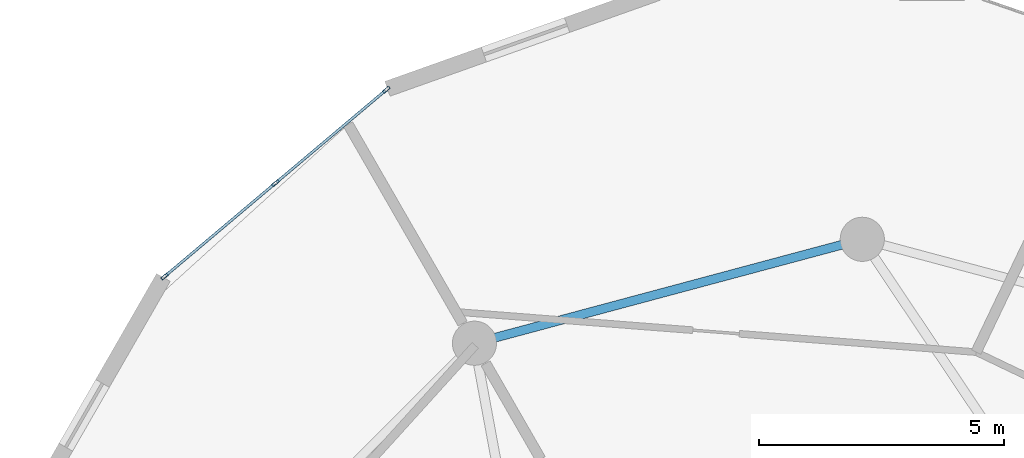
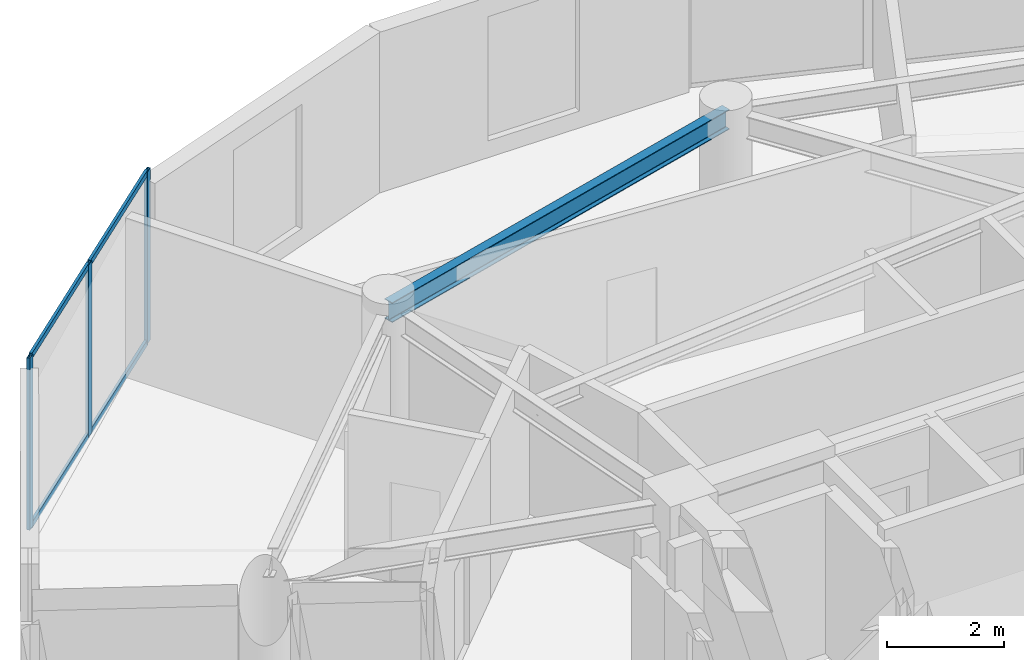
# One storey, part 9 of 17: 7 members, 1 beam, 1 element without a shape of its own.
"""IFC4 building model written with IfcOpenShell, lengths in metres."""

from ifc_helpers import new_model, si_unit, direction, frame, origin, origin_2d, place, context, subcontext, project, spatial, hollow_rectangle, i_section, extrude, source, transform, mapped, material, layer, layer_set, material_profile, profile_set, type_object, element, aggregate, save


model = new_model("IFC4")

# Units and contexts
model_context = context("Model", 3, precision=1e-05, world=origin(), true_north=direction((0.0, 1.0)))
body_context = subcontext(model_context, "Body", "Model", "MODEL_VIEW")
ifc_project = project(units=[si_unit("LENGTHUNIT", "METRE"), si_unit("AREAUNIT", "SQUARE_METRE"), si_unit("VOLUMEUNIT", "CUBIC_METRE"), si_unit("PLANEANGLEUNIT", "RADIAN"), si_unit("MASSUNIT", "GRAM", prefix="KILO")], contexts=[model_context])

# Site, building, storey
site_placement = place(None, origin())
site = spatial("IfcSite", under=ifc_project, at=site_placement, CompositionType="ELEMENT")
building_placement = place(site_placement, origin())
building = spatial("IfcBuilding", under=site, at=building_placement, Name="Solvirekh Grand Hotel", CompositionType="ELEMENT")
storey_placement = place(building_placement, frame((0.0, 0.0, 191.199951171875)))
storey = spatial("IfcBuildingStorey", under=building, at=storey_placement, Name="L49", CompositionType="ELEMENT", Elevation=191.199951171875)

# Beam
ifc_material_1 = material(Name="Steel S355", Category="steel")
ifc_material_profile_1 = material_profile(ifc_material_1, i_section(OverallWidth=0.180908203125, OverallDepth=0.4169921875, WebThickness=0.010009765625, FlangeThickness=0.01611328125, FilletRadius=0.011962890625, at=origin_2d()), Name="W410X85")
ifc_profile_set_1 = profile_set([ifc_material_profile_1], Name="Steel S355")
beam_type = type_object("IfcBeamType", Name="Spandrel_Ring_W410", PredefinedType="SPANDREL", material=ifc_profile_set_1)
beam_placement = place(storey_placement, frame((0.0, 15.800048828125, 3.152099609375), z_axis=(-0.965920601923, -0.258838541915, 0.0), x_axis=(0.258838541915, -0.965920601923, 0.0)))
element("IfcBeam", 1, at=beam_placement, inside=storey, type_object=beam_type, Name="L49 perimeter spandrel beam 4", PredefinedType="SPANDREL", context=body_context, shape_type="SweptSolid", body=[
    extrude(i_section(OverallWidth=0.180908203125, OverallDepth=0.4169921875, WebThickness=0.010009765625, FlangeThickness=0.01611328125, FilletRadius=0.011962890625, at=origin_2d()), origin(), (0.0, 0.0, 1.0), 8.1787109375),
])

# Curtain wall, members
ifc_material_2 = material(Name="Anodized Bronze Aluminium 6063-T6", Category="aluminium")
ifc_layer = layer(ifc_material_2, 0.159912109375)
ifc_layer_set = layer_set([ifc_layer], Name="Anodized Bronze Aluminium 6063-T6")
curtain_wall_type = type_object("IfcCurtainWallType", Name="CW_Sys4_HighZoneFlushBronzeCW", PredefinedType="NOTDEFINED", material=ifc_layer_set)
curtain_wall_placement = place(storey_placement, origin())
curtain_wall = element("IfcCurtainWall", 2, at=curtain_wall_placement, inside=storey, type_object=curtain_wall_type, Name="L49 unitised bronze-glass curtain wall CW-L49-C11", PredefinedType="NOTDEFINED")
ifc_material_profile_2 = material_profile(ifc_material_2, hollow_rectangle(XDim=0.06005859375, YDim=0.159912109375, WallThickness=0.0048828125, at=origin_2d()), Name="ALU RHS 160X60X5")
ifc_profile_set_2 = profile_set([ifc_material_profile_2], Name="Anodized Bronze Aluminium 6063-T6")
member_type_1 = type_object("IfcMemberType", Name="CWMullion_Sys4", PredefinedType="MULLION", material=ifc_profile_set_2)
shared_shape_1 = source(origin(), body_context, "Body", "SweptSolid", [
    extrude(hollow_rectangle(XDim=0.06005859375, YDim=0.159912109375, WallThickness=0.0048828125, at=origin_2d()), origin(), (0.0, 0.0, 1.0), 3.60009765625),
])
member_1_placement = place(storey_placement, frame((-9.69482421875, 18.8466796875, 0.0), z_axis=(0.0, 0.0, 1.0), x_axis=(0.644197671449, -0.764859045903, 0.0)))
member_1 = element("IfcMember", 3, at=member_1_placement, type_object=member_type_1, Name="U04 mullion 1", PredefinedType="MULLION", context=body_context, shape_type="MappedRepresentation", body=[
    mapped(shared_shape_1, transform((0.0, 0.0, 0.0), x_axis=(1.0, 0.0, 0.0), y_axis=(0.0, 1.0, 0.0), z_axis=(0.0, 0.0, 1.0), scale=1.0)),
])
member_2_placement = place(storey_placement, frame((-11.9541015625, 16.944091796875, 0.0), z_axis=(0.0, 0.0, 1.0), x_axis=(0.644197671449, -0.764859045903, 0.0)))
member_2 = element("IfcMember", 4, at=member_2_placement, type_object=member_type_1, Name="U04 mullion 2", PredefinedType="MULLION", context=body_context, shape_type="MappedRepresentation", body=[
    mapped(shared_shape_1, transform((0.0, 0.0, 0.0), x_axis=(1.0, 0.0, 0.0), y_axis=(0.0, 1.0, 0.0), z_axis=(0.0, 0.0, 1.0), scale=1.0)),
])
member_3_placement = place(storey_placement, frame((-14.213134765625, 15.041259765625, 0.0), z_axis=(0.0, 0.0, 1.0), x_axis=(0.644197671449, -0.764859045903, 0.0)))
member_3 = element("IfcMember", 5, at=member_3_placement, type_object=member_type_1, Name="U04 mullion 3", PredefinedType="MULLION", context=body_context, shape_type="MappedRepresentation", body=[
    mapped(shared_shape_1, transform((0.0, 0.0, 0.0), x_axis=(1.0, 0.0, 0.0), y_axis=(0.0, 1.0, 0.0), z_axis=(0.0, 0.0, 1.0), scale=1.0)),
])
ifc_material_profile_3 = material_profile(ifc_material_2, hollow_rectangle(XDim=0.054931640625, YDim=0.1201171875, WallThickness=0.00390625, at=origin_2d()), Name="ALU RHS 120X55X4")
ifc_profile_set_3 = profile_set([ifc_material_profile_3], Name="Anodized Bronze Aluminium 6063-T6")
member_type_2 = type_object("IfcMemberType", Name="CWTransom_Sys4", PredefinedType="USERDEFINED", material=ifc_profile_set_3)
shared_shape_2 = source(origin(), body_context, "Body", "SweptSolid", [
    extrude(hollow_rectangle(XDim=0.054931640625, YDim=0.1201171875, WallThickness=0.00390625, at=origin_2d()), origin(), (0.0, 0.0, 1.0), 2.8935546875),
])
member_4_placement = place(storey_placement, frame((-11.97705078125, 16.924560546875, 0.027587890625), z_axis=(-0.764856495403, -0.644200699658, 0.0), x_axis=(0.644200699658, -0.764856495403, 0.0)))
member_4 = element("IfcMember", 6, at=member_4_placement, type_object=member_type_2, Name="U04 transom 2.1", ObjectType="TRANSOM", PredefinedType="USERDEFINED", context=body_context, shape_type="MappedRepresentation", body=[
    mapped(shared_shape_2, transform((0.0, 0.0, 0.0), x_axis=(1.0, 0.0, 0.0), y_axis=(0.0, 1.0, 0.0), z_axis=(0.0, 0.0, 1.0), scale=1.0)),
])
member_5_placement = place(storey_placement, frame((-11.97705078125, 16.924560546875, 3.572509765625), z_axis=(-0.764856495403, -0.644200699658, 0.0), x_axis=(0.644200699658, -0.764856495403, 0.0)))
member_5 = element("IfcMember", 7, at=member_5_placement, type_object=member_type_2, Name="U04 transom 2.2", ObjectType="TRANSOM", PredefinedType="USERDEFINED", context=body_context, shape_type="MappedRepresentation", body=[
    mapped(shared_shape_2, transform((0.0, 0.0, 0.0), x_axis=(1.0, 0.0, 0.0), y_axis=(0.0, 1.0, 0.0), z_axis=(0.0, 0.0, 1.0), scale=1.0)),
])
shared_shape_3 = source(origin(), body_context, "Body", "SweptSolid", [
    extrude(hollow_rectangle(XDim=0.054931640625, YDim=0.1201171875, WallThickness=0.00390625, at=origin_2d()), origin(), (0.0, 0.0, 1.0), 2.893798828125),
])
member_6_placement = place(storey_placement, frame((-9.7177734375, 18.827392578125, 0.027587890625), z_axis=(-0.764891507046, -0.644159128204, 0.0), x_axis=(0.644159128204, -0.764891507046, 0.0)))
member_6 = element("IfcMember", 8, at=member_6_placement, type_object=member_type_2, Name="U04 transom 1.1", ObjectType="TRANSOM", PredefinedType="USERDEFINED", context=body_context, shape_type="MappedRepresentation", body=[
    mapped(shared_shape_3, transform((0.0, 0.0, 0.0), x_axis=(1.0, 0.0, 0.0), y_axis=(0.0, 1.0, 0.0), z_axis=(0.0, 0.0, 1.0), scale=1.0)),
])
member_7_placement = place(storey_placement, frame((-9.7177734375, 18.827392578125, 3.572509765625), z_axis=(-0.764891507046, -0.644159128204, 0.0), x_axis=(0.644159128204, -0.764891507046, 0.0)))
member_7 = element("IfcMember", 9, at=member_7_placement, type_object=member_type_2, Name="U04 transom 1.2", ObjectType="TRANSOM", PredefinedType="USERDEFINED", context=body_context, shape_type="MappedRepresentation", body=[
    mapped(shared_shape_3, transform((0.0, 0.0, 0.0), x_axis=(1.0, 0.0, 0.0), y_axis=(0.0, 1.0, 0.0), z_axis=(0.0, 0.0, 1.0), scale=1.0)),
])
aggregate(curtain_wall, [member_1, member_2, member_3, member_6, member_7, member_4, member_5])

save(model, "model.ifc")
